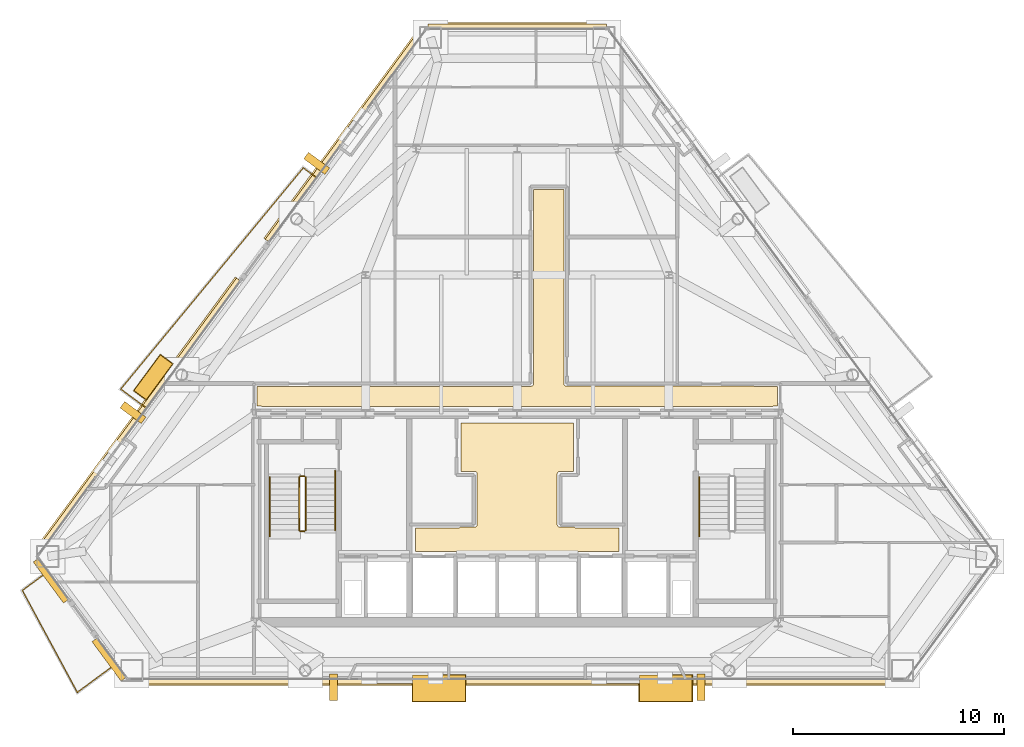
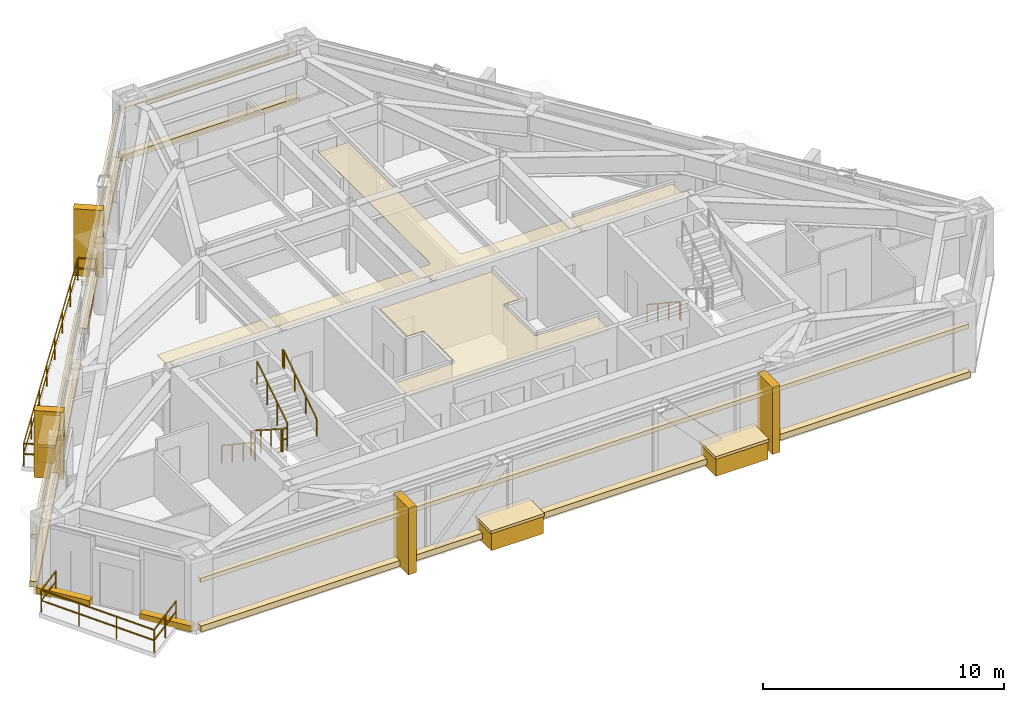
# One storey, part 11 of 12: 22 coverings, 9 railings.
"""IFC4 building model written with IfcOpenShell, lengths in metres."""

from ifc_helpers import new_model, si_unit, direction, frame, origin, origin_2d, place, context, subcontext, project, spatial, polyline, rectangle, outline, extrude, material, layer, layer_set, type_object, element, save


model = new_model("IFC4")

# Units and contexts
model_context = context("Model", 3, precision=1e-05, world=origin(), true_north=direction((0.0, 1.0)))
body_context = subcontext(model_context, "Body", "Model", "MODEL_VIEW")
ifc_project = project(units=[si_unit("LENGTHUNIT", "METRE"), si_unit("AREAUNIT", "SQUARE_METRE"), si_unit("VOLUMEUNIT", "CUBIC_METRE"), si_unit("PLANEANGLEUNIT", "RADIAN"), si_unit("MASSUNIT", "GRAM", prefix="KILO")], contexts=[model_context])

# Site, building, storey
site_placement = place(None, origin())
site = spatial("IfcSite", under=ifc_project, at=site_placement, CompositionType="ELEMENT")
building_placement = place(site_placement, origin())
building = spatial("IfcBuilding", under=site, at=building_placement, Name="Talgorran Terracotta Tower", CompositionType="ELEMENT")
storey_placement = place(building_placement, frame((0.0, 0.0, 182.10009765625)))
storey = spatial("IfcBuildingStorey", under=building, at=storey_placement, Name="L47", CompositionType="ELEMENT", Elevation=182.10009765625)

# Coverings
ifc_material_1 = material(Name="Kiln-Fired Terracotta Ochre Ceramic", Category="masonry")
ifc_layer_1 = layer(ifc_material_1, 0.179931640625, Name="COV_BAGUETTE_TERRACOTTA_SCREEN")
ifc_layer_set_1 = layer_set([ifc_layer_1], Name="Kiln-Fired Terracotta Ochre Ceramic")
covering_type_1 = type_object("IfcCoveringType", Name="COV_BAGUETTE_TERRACOTTA_SCREEN", PredefinedType="CLADDING", material=ifc_layer_set_1)
covering_1_placement = place(storey_placement, frame((0.0, -16.885498046875, 2.41015625), z_axis=(0.0, 0.0, 1.0), x_axis=(1.0, 0.0, 0.0)))
element("IfcCovering", 1, at=covering_1_placement, inside=storey, type_object=covering_type_1, Name="L47 Terracotta Baguette Solar Screen Assembly F1", PredefinedType="CLADDING", context=body_context, shape_type="SweptSolid", body=[
    extrude(rectangle(XDim=36.865478515625, YDim=0.260009765625, at=origin_2d()), origin(), (0.0, 0.0, 1.0), 0.219970703125),
])
covering_2_placement = place(storey_placement, frame((0.0, 14.18359375, 2.41015625), z_axis=(0.0, 0.0, 1.0), x_axis=(-1.0, 0.0, 0.0)))
element("IfcCovering", 2, at=covering_2_placement, inside=storey, type_object=covering_type_1, Name="L47 Terracotta Baguette Solar Screen Assembly F4", PredefinedType="CLADDING", context=body_context, shape_type="SweptSolid", body=[
    extrude(rectangle(XDim=8.4921875, YDim=0.260009765625, at=origin_2d()), origin(), (0.0, 0.0, 1.0), 0.219970703125),
])
covering_3_placement = place(storey_placement, frame((-8.16064453125, 9.038330078125, 2.41015625), z_axis=(0.0, 0.0, 1.0), x_axis=(-0.593489124579, -0.804842008724, 0.0)))
element("IfcCovering", 3, at=covering_3_placement, inside=storey, type_object=covering_type_1, Name="L47 Terracotta Baguette Solar Screen Assembly F60", PredefinedType="CLADDING", context=body_context, shape_type="SweptSolid", body=[
    extrude(rectangle(XDim=12.464599609375, YDim=0.260009765625, at=origin_2d()), origin(), (0.0, 0.0, 1.0), 0.219970703125),
])
covering_4_placement = place(storey_placement, frame((-18.015380859375, -4.32568359375, 2.41015625), z_axis=(0.0, 0.0, 1.0), x_axis=(-0.593489124579, -0.804842008724, 0.0)))
element("IfcCovering", 4, at=covering_4_placement, inside=storey, type_object=covering_type_1, Name="L47 Terracotta Baguette Solar Screen Assembly F61", PredefinedType="CLADDING", context=body_context, shape_type="SweptSolid", body=[
    extrude(rectangle(XDim=16.14453125, YDim=0.260009765625, at=origin_2d()), origin(), (0.0, 0.0, 1.0), 0.219970703125),
])
ifc_material_2 = material(Name="Mineral Fibre Acoustic Tile")
ifc_layer_2 = layer(ifc_material_2, 0.02490234375, Name="COV_CEIL_ACOUSTIC")
ifc_layer_set_2 = layer_set([ifc_layer_2], Name="Mineral Fibre Acoustic Tile")
covering_type_2 = type_object("IfcCoveringType", Name="COV_CEIL_ACOUSTIC", PredefinedType="CEILING", material=ifc_layer_set_2)
covering_5_placement = place(storey_placement, frame((0.0, 0.0, 3.260009765625)))
element("IfcCovering", 5, at=covering_5_placement, inside=storey, type_object=covering_type_2, Name="CEIL-L47-2", PredefinedType="CEILING", context=body_context, shape_type="SweptSolid", body=[
    extrude(outline(polyline([(-12.364990234375, -2.885009765625), (0.64990234375, -2.885009765625), (0.66162109375, -2.884521484375), (0.67333984375, -2.8828125), (0.6845703125, -2.8798828125), (0.69287109375, -2.87744140625), (0.7041015625, -2.87353515625), (0.714599609375, -2.868408203125), (0.724853515625, -2.8623046875), (0.734375, -2.85546875), (0.742919921875, -2.847412109375), (0.7509765625, -2.8388671875), (0.756591796875, -2.83203125), (0.763671875, -2.822509765625), (0.769775390625, -2.8125), (0.774658203125, -2.8017578125), (0.77880859375, -2.79052734375), (0.781494140625, -2.779296875), (0.783203125, -2.767578125), (0.783935546875, -2.755615234375), (0.784912109375, 6.465087890625), (2.215087890625, 6.465087890625), (2.215087890625, -2.75), (2.215576171875, -2.76171875), (2.21728515625, -2.773193359375), (2.22021484375, -2.78466796875), (2.22265625, -2.79296875), (2.2265625, -2.803955078125), (2.231689453125, -2.814697265625), (2.237548828125, -2.82470703125), (2.24462890625, -2.834228515625), (2.25244140625, -2.843017578125), (2.26123046875, -2.850830078125), (2.26806640625, -2.8564453125), (2.277587890625, -2.863525390625), (2.28759765625, -2.86962890625), (2.29833984375, -2.874755859375), (2.309326171875, -2.878662109375), (2.32080078125, -2.881591796875), (2.33251953125, -2.88330078125), (2.34423828125, -2.8837890625), (12.364990234375, -2.885009765625), (12.364990234375, -3.830078125), (12.169921875, -3.830078125), (12.158203125, -3.83056640625), (12.146484375, -3.832275390625), (12.13525390625, -3.835205078125), (12.1240234375, -3.839111328125), (12.11328125, -3.84423828125), (12.112060546875, -3.844970703125), (7.432861328125, -3.844970703125), (6.968017578125, -3.843017578125), (6.967529296875, -3.843017578125), (0.232666015625, -3.844970703125), (-0.23193359375, -3.843017578125), (-0.232421875, -3.843017578125), (-6.96728515625, -3.844970703125), (-7.431884765625, -3.843017578125), (-7.4326171875, -3.843017578125), (-12.112060546875, -3.844970703125), (-12.11328125, -3.84423828125), (-12.1240234375, -3.839111328125), (-12.13525390625, -3.835205078125), (-12.146484375, -3.832275390625), (-12.158203125, -3.83056640625), (-12.169921875, -3.830078125), (-12.364990234375, -3.830078125), (-12.364990234375, -2.885009765625)])), origin(), (0.0, 0.0, 1.0), 0.019775390625),
])
ifc_material_3 = material(Name="Flush Moisture-Resistant Plaster")
ifc_layer_3 = layer(ifc_material_3, 0.01806640625, Name="COV_CEIL_PLASTER")
ifc_layer_set_3 = layer_set([ifc_layer_3], Name="Flush Moisture-Resistant Plaster")
covering_type_3 = type_object("IfcCoveringType", Name="COV_CEIL_PLASTER", PredefinedType="CEILING", material=ifc_layer_set_3)
covering_6_placement = place(storey_placement, frame((0.0, 0.0, 3.260009765625)))
element("IfcCovering", 6, at=covering_6_placement, inside=storey, type_object=covering_type_3, Name="CEIL-L47-1", PredefinedType="CEILING", context=body_context, shape_type="SweptSolid", body=[
    extrude(outline(polyline([(-2.70263671875, -9.570068359375), (-2.02001953125, -9.570068359375), (-2.00830078125, -9.5693359375), (-1.99658203125, -9.567626953125), (-1.985107421875, -9.564697265625), (-1.97412109375, -9.560791015625), (-1.96337890625, -9.555908203125), (-1.953369140625, -9.5498046875), (-1.94384765625, -9.542724609375), (-1.93505859375, -9.534912109375), (-1.92724609375, -9.526123046875), (-1.920166015625, -9.5166015625), (-1.914306640625, -9.506591796875), (-1.9091796875, -9.495849609375), (-1.9052734375, -9.48486328125), (-1.90234375, -9.473388671875), (-1.900634765625, -9.4619140625), (-1.89990234375, -9.449951171875), (-1.89990234375, -7.050048828125), (-1.900634765625, -7.0380859375), (-1.90234375, -7.026611328125), (-1.9052734375, -7.01513671875), (-1.9091796875, -7.004150390625), (-1.914306640625, -6.993408203125), (-1.920166015625, -6.9833984375), (-1.92724609375, -6.973876953125), (-1.93505859375, -6.965087890625), (-1.94384765625, -6.957275390625), (-1.953369140625, -6.9501953125), (-1.96337890625, -6.944091796875), (-1.97412109375, -6.939208984375), (-1.985107421875, -6.935302734375), (-1.99658203125, -6.932373046875), (-2.00830078125, -6.9306640625), (-2.02001953125, -6.929931640625), (-2.679931640625, -6.929931640625), (-2.679931640625, -4.6201171875), (2.679931640625, -4.6201171875), (2.679931640625, -6.929931640625), (2.02001953125, -6.929931640625), (2.00830078125, -6.9306640625), (1.99658203125, -6.932373046875), (1.985107421875, -6.935302734375), (1.97412109375, -6.939208984375), (1.96337890625, -6.944091796875), (1.953369140625, -6.9501953125), (1.94384765625, -6.957275390625), (1.93505859375, -6.965087890625), (1.92724609375, -6.973876953125), (1.920166015625, -6.9833984375), (1.914306640625, -6.993408203125), (1.9091796875, -7.004150390625), (1.9052734375, -7.01513671875), (1.90234375, -7.026611328125), (1.900634765625, -7.0380859375), (1.89990234375, -7.050048828125), (1.89990234375, -9.449951171875), (1.900634765625, -9.4619140625), (1.90234375, -9.473388671875), (1.9052734375, -9.48486328125), (1.9091796875, -9.495849609375), (1.914306640625, -9.506591796875), (1.920166015625, -9.5166015625), (1.92724609375, -9.526123046875), (1.93505859375, -9.534912109375), (1.94384765625, -9.542724609375), (1.953369140625, -9.5498046875), (1.96337890625, -9.555908203125), (1.97412109375, -9.560791015625), (1.985107421875, -9.564697265625), (1.99658203125, -9.567626953125), (2.00830078125, -9.5693359375), (2.02001953125, -9.570068359375), (2.70263671875, -9.570068359375), (2.707275390625, -9.576171875), (2.715087890625, -9.5849609375), (2.723876953125, -9.5927734375), (2.7333984375, -9.599853515625), (2.743408203125, -9.605712890625), (2.754150390625, -9.61083984375), (2.76513671875, -9.61474609375), (2.776611328125, -9.61767578125), (2.7880859375, -9.619384765625), (2.800048828125, -9.6201171875), (4.830078125, -9.6201171875), (4.830078125, -10.72998046875), (-4.830078125, -10.72998046875), (-4.830078125, -9.6201171875), (-2.800048828125, -9.6201171875), (-2.7880859375, -9.619384765625), (-2.776611328125, -9.61767578125), (-2.76513671875, -9.61474609375), (-2.754150390625, -9.61083984375), (-2.743408203125, -9.605712890625), (-2.7333984375, -9.599853515625), (-2.723876953125, -9.5927734375), (-2.715087890625, -9.5849609375), (-2.707275390625, -9.576171875), (-2.70263671875, -9.570068359375)])), origin(), (0.0, 0.0, 1.0), 0.019775390625),
])
ifc_material_4 = material(Name="Honed Limestone and Terracotta Planter", Category="masonry")
ifc_layer_4 = layer(ifc_material_4, 0.1201171875, Name="COV_PLANTER_BOX")
ifc_layer_set_4 = layer_set([ifc_layer_4], Name="Honed Limestone and Terracotta Planter")
covering_type_4 = type_object("IfcCoveringType", Name="COV_PLANTER_BOX", PredefinedType="CLADDING", material=ifc_layer_set_4)
for number, where, z_axis, x_axis, name in (
    (7, (7.05419921875, -17.2255859375, -0.18017578125), (0.0, 0.0, 1.0), (1.0, 0.0, 0.0), "L47 Staggered South Facade Planter Box 1"),
    (8, (-3.712646484375, -17.2255859375, -0.18017578125), (0.0, 0.0, 1.0), (1.0, 0.0, 0.0), "L47 Staggered South Facade Planter Box 2"),
):
    element("IfcCovering", number, at=place(storey_placement, frame(where, z_axis=z_axis, x_axis=x_axis)), inside=storey, type_object=covering_type_4, Name=name, PredefinedType="CLADDING", context=body_context, shape_type="SweptSolid", body=[
        extrude(rectangle(XDim=2.5, YDim=1.25, at=origin_2d()), origin(), (0.0, 0.0, 1.0), 0.919921875),
    ])
covering_7_placement = place(storey_placement, frame((-17.283447265625, -2.45849609375, -0.02001953125), z_axis=(0.0, 0.0, 1.0), x_axis=(-0.593489124579, -0.804842008724, 0.0)))
element("IfcCovering", 9, at=covering_7_placement, inside=storey, type_object=covering_type_4, Name="L47 Staggered Balcony Planter Box BAL-NW", PredefinedType="CLADDING", context=body_context, shape_type="SweptSolid", body=[
    extrude(rectangle(XDim=2.10009765625, YDim=0.719970703125, at=origin_2d()), origin(), (0.0, 0.0, 1.0), 0.860107421875),
])
ifc_material_5 = material(Name="Kiln-Fired Terracotta Planter Rim", Category="masonry")
ifc_layer_5 = layer(ifc_material_5, 0.10009765625, Name="COV_PLANTER_RIM")
ifc_layer_set_5 = layer_set([ifc_layer_5], Name="Kiln-Fired Terracotta Planter Rim")
covering_type_5 = type_object("IfcCoveringType", Name="COV_PLANTER_RIM", PredefinedType="CLADDING", material=ifc_layer_set_5)
for number, where, z_axis, x_axis, name in (
    (10, (7.05419921875, -17.2255859375, 0.7099609375), (0.0, 0.0, 1.0), (1.0, 0.0, 0.0), "L47 South Planter Terracotta Rim 1"),
    (11, (-3.712646484375, -17.2255859375, 0.7099609375), (0.0, 0.0, 1.0), (1.0, 0.0, 0.0), "L47 South Planter Terracotta Rim 2"),
):
    element("IfcCovering", number, at=place(storey_placement, frame(where, z_axis=z_axis, x_axis=x_axis)), inside=storey, type_object=covering_type_5, Name=name, PredefinedType="CLADDING", context=body_context, shape_type="SweptSolid", body=[
        extrude(rectangle(XDim=2.580078125, YDim=1.320068359375, at=origin_2d()), origin(), (0.0, 0.0, 1.0), 0.139892578125),
    ])
covering_8_placement = place(storey_placement, frame((-17.283447265625, -2.45849609375, 0.7998046875), z_axis=(0.0, 0.0, 1.0), x_axis=(-0.593489124579, -0.804842008724, 0.0)))
element("IfcCovering", 12, at=covering_8_placement, inside=storey, type_object=covering_type_5, Name="L47 Balcony Planter Terracotta Rim BAL-NW", PredefinedType="CLADDING", context=body_context, shape_type="SweptSolid", body=[
    extrude(rectangle(XDim=2.179931640625, YDim=0.780029296875, at=origin_2d()), origin(), (0.0, 0.0, 1.0), 0.1201171875),
])
ifc_material_6 = material(Name="Honed Limestone Cladding", Category="masonry")
ifc_layer_6 = layer(ifc_material_6, 0.094970703125, Name="COV_PORTAL_LIME")
ifc_layer_set_6 = layer_set([ifc_layer_6], Name="Honed Limestone Cladding")
covering_type_6 = type_object("IfcCoveringType", Name="COV_PORTAL_LIME", PredefinedType="CLADDING", material=ifc_layer_set_6)
for number, where, z_axis, x_axis, name in (
    (13, (-8.724853515625, -17.185546875, -0.050048828125), (0.0, 0.0, 1.0), (1.0, 0.0, 0.0), "L47 White Striped Portal Fin F1-1"),
    (14, (-9.521240234375, 7.69873046875, -0.050048828125), (0.0, 0.0, 1.0), (-0.593489124579, -0.804842008724, 0.0), "L47 White Striped Portal Fin F5-1"),
):
    element("IfcCovering", number, at=place(storey_placement, frame(where, z_axis=z_axis, x_axis=x_axis)), inside=storey, type_object=covering_type_6, Name=name, PredefinedType="CLADDING", context=body_context, shape_type="SweptSolid", body=[
        extrude(rectangle(XDim=0.3798828125, YDim=1.25, at=origin_2d()), origin(), (0.0, 0.0, 1.0), 3.39990234375),
    ])
ifc_material_7 = material(Name="Kiln-Fired Terracotta Cladding", Category="masonry")
ifc_layer_7 = layer(ifc_material_7, 0.090087890625, Name="COV_PORTAL_TERRA")
ifc_layer_set_7 = layer_set([ifc_layer_7], Name="Kiln-Fired Terracotta Cladding")
covering_type_7 = type_object("IfcCoveringType", Name="COV_PORTAL_TERRA", PredefinedType="CLADDING", material=ifc_layer_set_7)
covering_9_placement = place(storey_placement, frame((-22.126708984375, -12.10693359375, -0.0400390625), z_axis=(0.0, 0.0, 1.0), x_axis=(0.593503171631, -0.804831650262, 0.0)))
element("IfcCovering", 15, at=covering_9_placement, inside=storey, type_object=covering_type_7, Name="L47 Striped Postmodern Portal Cladding Band F10", PredefinedType="CLADDING", context=body_context, shape_type="SweptSolid", body=[
    extrude(rectangle(XDim=2.418212890625, YDim=0.340087890625, at=origin_2d()), origin(), (0.0, 0.0, 1.0), 0.300048828125),
])
covering_10_placement = place(storey_placement, frame((-19.365234375, -15.8515625, -0.0400390625), z_axis=(0.0, 0.0, 1.0), x_axis=(0.593503171631, -0.804831650262, 0.0)))
element("IfcCovering", 16, at=covering_10_placement, inside=storey, type_object=covering_type_7, Name="L47 Striped Postmodern Portal Cladding Band F11", PredefinedType="CLADDING", context=body_context, shape_type="SweptSolid", body=[
    extrude(rectangle(XDim=2.327392578125, YDim=0.340087890625, at=origin_2d()), origin(), (0.0, 0.0, 1.0), 0.300048828125),
])
covering_11_placement = place(storey_placement, frame((0.0, -16.925537109375, -0.0400390625), z_axis=(0.0, 0.0, 1.0), x_axis=(1.0, 0.0, 0.0)))
element("IfcCovering", 17, at=covering_11_placement, inside=storey, type_object=covering_type_7, Name="L47 Striped Postmodern Portal Cladding Band F1", PredefinedType="CLADDING", context=body_context, shape_type="SweptSolid", body=[
    extrude(rectangle(XDim=36.885498046875, YDim=0.340087890625, at=origin_2d()), origin(), (0.0, 0.0, 1.0), 0.300048828125),
])
covering_12_placement = place(storey_placement, frame((0.0, 14.2236328125, -0.0400390625), z_axis=(0.0, 0.0, 1.0), x_axis=(-1.0, 0.0, 0.0)))
element("IfcCovering", 18, at=covering_12_placement, inside=storey, type_object=covering_type_7, Name="L47 Striped Postmodern Portal Cladding Band F4", PredefinedType="CLADDING", context=body_context, shape_type="SweptSolid", body=[
    extrude(rectangle(XDim=8.51220703125, YDim=0.340087890625, at=origin_2d()), origin(), (0.0, 0.0, 1.0), 0.300048828125),
])
covering_13_placement = place(storey_placement, frame((-8.19287109375, 9.06201171875, -0.0400390625), z_axis=(0.0, 0.0, 1.0), x_axis=(-0.593489124579, -0.804842008724, 0.0)))
element("IfcCovering", 19, at=covering_13_placement, inside=storey, type_object=covering_type_7, Name="L47 Striped Postmodern Portal Cladding Band F60", PredefinedType="CLADDING", context=body_context, shape_type="SweptSolid", body=[
    extrude(rectangle(XDim=12.484619140625, YDim=0.340087890625, at=origin_2d()), origin(), (0.0, 0.0, 1.0), 0.300048828125),
])
covering_14_placement = place(storey_placement, frame((-18.047607421875, -4.3017578125, -0.0400390625), z_axis=(0.0, 0.0, 1.0), x_axis=(-0.593489124579, -0.804842008724, 0.0)))
element("IfcCovering", 20, at=covering_14_placement, inside=storey, type_object=covering_type_7, Name="L47 Striped Postmodern Portal Cladding Band F61", PredefinedType="CLADDING", context=body_context, shape_type="SweptSolid", body=[
    extrude(rectangle(XDim=16.16455078125, YDim=0.340087890625, at=origin_2d()), origin(), (0.0, 0.0, 1.0), 0.300048828125),
])
for number, where, z_axis, x_axis, name in (
    (21, (8.724853515625, -17.185546875, -0.050048828125), (0.0, 0.0, 1.0), (1.0, 0.0, 0.0), "L47 Terracotta Striped Portal Fin F1-2"),
    (22, (-18.24609375, -4.133056640625, -0.050048828125), (0.0, 0.0, 1.0), (-0.593489124579, -0.804842008724, 0.0), "L47 Terracotta Striped Portal Fin F5-2"),
):
    element("IfcCovering", number, at=place(storey_placement, frame(where, z_axis=z_axis, x_axis=x_axis)), inside=storey, type_object=covering_type_7, Name=name, PredefinedType="CLADDING", context=body_context, shape_type="SweptSolid", body=[
        extrude(rectangle(XDim=0.3798828125, YDim=1.25, at=origin_2d()), origin(), (0.0, 0.0, 1.0), 3.39990234375),
    ])

# Railings
ifc_material_8 = material(Name="Laminated Glass and Stainless Steel 316", Category="steel")
railing_type_1 = type_object("IfcRailingType", Name="RL_BALCONY_1150", PredefinedType="BALUSTRADE", material=ifc_material_8)
railing_1_placement = place(storey_placement, frame((-9.54150390625, 7.03125, 0.0)))
element("IfcRailing", 23, at=railing_1_placement, inside=storey, type_object=railing_type_1, Name="RL-L47-BAL-BAL-NW", PredefinedType="BALUSTRADE", context=body_context, shape_type="SweptSolid", body=[
    extrude(rectangle(XDim=0.048095703125, YDim=0.048095703125, at=origin_2d()), frame((0.0, 0.0, 1.1259765625), z_axis=(-0.804928073869, 0.59337239226, 0.0), x_axis=(-0.59337239226, -0.804928073869, 0.0)), (0.0, 0.0, 1.0), 0.7685546875),
    extrude(rectangle(XDim=0.048095703125, YDim=0.048095703125, at=origin_2d()), frame((0.0, 0.0, 0.597900390625), z_axis=(-0.804928073869, 0.59337239226, 0.0), x_axis=(-0.59337239226, -0.804928073869, 0.0)), (0.0, 0.0, 1.0), 0.7685546875),
    extrude(rectangle(XDim=0.048095703125, YDim=0.048095703125, at=origin_2d()), frame((-0.61865234375, 0.4560546875, 1.1259765625), z_axis=(-0.636374157048, -0.771380536597, 0.0), x_axis=(0.771380536597, -0.636374157048, 0.0)), (0.0, 0.0, 1.0), 13.622314453125),
    extrude(rectangle(XDim=0.048095703125, YDim=0.048095703125, at=origin_2d()), frame((-0.61865234375, 0.4560546875, 0.597900390625), z_axis=(-0.636374157048, -0.771380536597, 0.0), x_axis=(0.771380536597, -0.636374157048, 0.0)), (0.0, 0.0, 1.0), 13.622314453125),
    extrude(rectangle(XDim=0.048095703125, YDim=0.048095703125, at=origin_2d()), frame((-9.28759765625, -10.052001953125, 1.1259765625), z_axis=(0.804864716475, -0.593458328928, 0.0), x_axis=(0.593458328928, 0.804864716475, 0.0)), (0.0, 0.0, 1.0), 1.50927734375),
    extrude(rectangle(XDim=0.048095703125, YDim=0.048095703125, at=origin_2d()), frame((-9.28759765625, -10.052001953125, 0.597900390625), z_axis=(0.804864716475, -0.593458328928, 0.0), x_axis=(0.593458328928, 0.804864716475, 0.0)), (0.0, 0.0, 1.0), 1.50927734375),
    extrude(rectangle(XDim=0.0419921875, YDim=0.0419921875, at=origin_2d()), origin(), (0.0, 0.0, 1.0), 1.101806640625),
    extrude(rectangle(XDim=0.0419921875, YDim=0.0419921875, at=origin_2d()), frame((-0.61865234375, 0.4560546875, 0.0)), (0.0, 0.0, 1.0), 1.101806640625),
    extrude(rectangle(XDim=0.0419921875, YDim=0.0419921875, at=origin_2d()), frame((-1.857177734375, -1.045166015625, 0.0)), (0.0, 0.0, 1.0), 1.101806640625),
    extrude(rectangle(XDim=0.0419921875, YDim=0.0419921875, at=origin_2d()), frame((-3.095458984375, -2.546142578125, 0.0)), (0.0, 0.0, 1.0), 1.101806640625),
    extrude(rectangle(XDim=0.0419921875, YDim=0.0419921875, at=origin_2d()), frame((-4.333984375, -4.04736328125, 0.0)), (0.0, 0.0, 1.0), 1.101806640625),
    extrude(rectangle(XDim=0.0419921875, YDim=0.0419921875, at=origin_2d()), frame((-5.572265625, -5.548583984375, 0.0)), (0.0, 0.0, 1.0), 1.101806640625),
    extrude(rectangle(XDim=0.0419921875, YDim=0.0419921875, at=origin_2d()), frame((-6.810791015625, -7.0498046875, 0.0)), (0.0, 0.0, 1.0), 1.101806640625),
    extrude(rectangle(XDim=0.0419921875, YDim=0.0419921875, at=origin_2d()), frame((-8.049072265625, -8.55078125, 0.0)), (0.0, 0.0, 1.0), 1.101806640625),
    extrude(rectangle(XDim=0.0419921875, YDim=0.0419921875, at=origin_2d()), frame((-9.28759765625, -10.052001953125, 0.0)), (0.0, 0.0, 1.0), 1.101806640625),
    extrude(rectangle(XDim=0.0419921875, YDim=0.0419921875, at=origin_2d()), frame((-8.07275390625, -10.94775390625, 0.0)), (0.0, 0.0, 1.0), 1.101806640625),
])
railing_2_placement = place(storey_placement, frame((-22.286865234375, -11.6875, 0.0)))
element("IfcRailing", 24, at=railing_2_placement, inside=storey, type_object=railing_type_1, Name="RL-L47-BAL-BAL-SW", PredefinedType="BALUSTRADE", context=body_context, shape_type="SweptSolid", body=[
    extrude(rectangle(XDim=0.048095703125, YDim=0.048095703125, at=origin_2d()), frame((0.0, 0.0, 1.1259765625), z_axis=(-0.804852231098, -0.593475261571, 0.0), x_axis=(0.593475261571, -0.804852231098, 0.0)), (0.0, 0.0, 1.0), 1.50732421875),
    extrude(rectangle(XDim=0.048095703125, YDim=0.048095703125, at=origin_2d()), frame((0.0, 0.0, 0.597900390625), z_axis=(-0.804852231098, -0.593475261571, 0.0), x_axis=(0.593475261571, -0.804852231098, 0.0)), (0.0, 0.0, 1.0), 1.50732421875),
    extrude(rectangle(XDim=0.048095703125, YDim=0.048095703125, at=origin_2d()), frame((-1.213134765625, -0.89453125, 1.1259765625), z_axis=(0.474631871031, -0.880184405112, 0.0), x_axis=(0.880184405112, 0.474631871031, 0.0)), (0.0, 0.0, 1.0), 5.499267578125),
    extrude(rectangle(XDim=0.048095703125, YDim=0.048095703125, at=origin_2d()), frame((-1.213134765625, -0.89453125, 0.597900390625), z_axis=(0.474631871031, -0.880184405112, 0.0), x_axis=(0.880184405112, 0.474631871031, 0.0)), (0.0, 0.0, 1.0), 5.499267578125),
    extrude(rectangle(XDim=0.048095703125, YDim=0.048095703125, at=origin_2d()), frame((1.39697265625, -5.73486328125, 1.1259765625), z_axis=(0.804832327769, 0.593502252884, 0.0), x_axis=(-0.593502252884, 0.804832327769, 0.0)), (0.0, 0.0, 1.0), 2.279296875),
    extrude(rectangle(XDim=0.048095703125, YDim=0.048095703125, at=origin_2d()), frame((1.39697265625, -5.73486328125, 0.597900390625), z_axis=(0.804832327769, 0.593502252884, 0.0), x_axis=(-0.593502252884, 0.804832327769, 0.0)), (0.0, 0.0, 1.0), 2.279296875),
    extrude(rectangle(XDim=0.0419921875, YDim=0.0419921875, at=origin_2d()), origin(), (0.0, 0.0, 1.0), 1.101806640625),
    extrude(rectangle(XDim=0.0419921875, YDim=0.0419921875, at=origin_2d()), frame((-1.213134765625, -0.89453125, 0.0)), (0.0, 0.0, 1.0), 1.101806640625),
    extrude(rectangle(XDim=0.0419921875, YDim=0.0419921875, at=origin_2d()), frame((-0.343017578125, -2.508056640625, 0.0)), (0.0, 0.0, 1.0), 1.101806640625),
    extrude(rectangle(XDim=0.0419921875, YDim=0.0419921875, at=origin_2d()), frame((0.52685546875, -4.121337890625, 0.0)), (0.0, 0.0, 1.0), 1.101806640625),
    extrude(rectangle(XDim=0.0419921875, YDim=0.0419921875, at=origin_2d()), frame((1.39697265625, -5.73486328125, 0.0)), (0.0, 0.0, 1.0), 1.101806640625),
    extrude(rectangle(XDim=0.0419921875, YDim=0.0419921875, at=origin_2d()), frame((2.314208984375, -5.05859375, 0.0)), (0.0, 0.0, 1.0), 1.101806640625),
    extrude(rectangle(XDim=0.0419921875, YDim=0.0419921875, at=origin_2d()), frame((3.2314453125, -4.382080078125, 0.0)), (0.0, 0.0, 1.0), 1.101806640625),
])
ifc_material_9 = material(Name="Steel S355 (300PLUS)", Category="steel")
railing_type_2 = type_object("IfcRailingType", Name="RL_HANDRAIL_920", PredefinedType="HANDRAIL", material=ifc_material_9)
railing_3_placement = place(storey_placement, frame((-11.75, -7.199951171875, 0.179931640625)))
element("IfcRailing", 25, at=railing_3_placement, inside=storey, type_object=railing_type_2, Name="L47 ST-01 stair handrail 1", PredefinedType="HANDRAIL", context=body_context, shape_type="SweptSolid", body=[
    extrude(rectangle(XDim=0.048095703125, YDim=0.048095703125, at=origin_2d()), frame((0.0, 0.0, 0.89599609375), z_axis=(0.0, -0.832038719335, 0.554717558338), x_axis=(1.0, 0.0, 0.0)), (0.0, 0.0, 1.0), 3.244873046875),
    extrude(rectangle(XDim=0.048095703125, YDim=0.048095703125, at=origin_2d()), frame((0.0, -2.699951171875, 2.69580078125), z_axis=(0.0, -1.0, 0.0), x_axis=(1.0, 0.0, 0.0)), (0.0, 0.0, 1.0), 0.1201171875),
    extrude(rectangle(XDim=0.0419921875, YDim=0.0419921875, at=origin_2d()), origin(), (0.0, 0.0, 1.0), 0.871826171875),
    extrude(rectangle(XDim=0.0419921875, YDim=0.0419921875, at=origin_2d()), frame((0.0, -0.89990234375, 0.60009765625)), (0.0, 0.0, 1.0), 0.871826171875),
    extrude(rectangle(XDim=0.0419921875, YDim=0.0419921875, at=origin_2d()), frame((0.0, -1.800048828125, 1.199951171875)), (0.0, 0.0, 1.0), 0.871826171875),
    extrude(rectangle(XDim=0.0419921875, YDim=0.0419921875, at=origin_2d()), frame((0.0, -2.699951171875, 1.800048828125)), (0.0, 0.0, 1.0), 0.871826171875),
    extrude(rectangle(XDim=0.0419921875, YDim=0.0419921875, at=origin_2d()), frame((0.0, -2.820068359375, 1.800048828125)), (0.0, 0.0, 1.0), 0.871826171875),
])
railing_4_placement = place(storey_placement, frame((-8.64990234375, -9.719970703125, 1.97998046875)))
element("IfcRailing", 26, at=railing_4_placement, inside=storey, type_object=railing_type_2, Name="L47 ST-01 stair handrail 2", PredefinedType="HANDRAIL", context=body_context, shape_type="SweptSolid", body=[
    extrude(rectangle(XDim=0.048095703125, YDim=0.048095703125, at=origin_2d()), frame((0.0, 0.0, 0.89599609375), z_axis=(0.0, 0.832073444223, 0.554665469827), x_axis=(-1.0, 0.0, 0.0)), (0.0, 0.0, 1.0), 3.244873046875),
    extrude(rectangle(XDim=0.048095703125, YDim=0.048095703125, at=origin_2d()), frame((0.0, 2.699951171875, 2.69580078125), z_axis=(0.0, 1.0, 0.0), x_axis=(-1.0, 0.0, 0.0)), (0.0, 0.0, 1.0), 0.1201171875),
    extrude(rectangle(XDim=0.0419921875, YDim=0.0419921875, at=origin_2d()), origin(), (0.0, 0.0, 1.0), 0.871826171875),
    extrude(rectangle(XDim=0.0419921875, YDim=0.0419921875, at=origin_2d()), frame((0.0, 0.89990234375, 0.599853515625)), (0.0, 0.0, 1.0), 0.871826171875),
    extrude(rectangle(XDim=0.0419921875, YDim=0.0419921875, at=origin_2d()), frame((0.0, 1.800048828125, 1.199951171875)), (0.0, 0.0, 1.0), 0.871826171875),
    extrude(rectangle(XDim=0.0419921875, YDim=0.0419921875, at=origin_2d()), frame((0.0, 2.699951171875, 1.7998046875)), (0.0, 0.0, 1.0), 0.871826171875),
    extrude(rectangle(XDim=0.0419921875, YDim=0.0419921875, at=origin_2d()), frame((0.0, 2.820068359375, 1.7998046875)), (0.0, 0.0, 1.0), 0.871826171875),
])
railing_5_placement = place(storey_placement, frame((8.64990234375, -7.199951171875, 0.179931640625)))
element("IfcRailing", 27, at=railing_5_placement, inside=storey, type_object=railing_type_2, Name="L47 ST-02 stair handrail 1", PredefinedType="HANDRAIL", context=body_context, shape_type="SweptSolid", body=[
    extrude(rectangle(XDim=0.048095703125, YDim=0.048095703125, at=origin_2d()), frame((0.0, 0.0, 0.89599609375), z_axis=(0.0, -0.832038719335, 0.554717558338), x_axis=(1.0, 0.0, 0.0)), (0.0, 0.0, 1.0), 3.244873046875),
    extrude(rectangle(XDim=0.048095703125, YDim=0.048095703125, at=origin_2d()), frame((0.0, -2.699951171875, 2.69580078125), z_axis=(0.0, -1.0, 0.0), x_axis=(1.0, 0.0, 0.0)), (0.0, 0.0, 1.0), 0.1201171875),
    extrude(rectangle(XDim=0.0419921875, YDim=0.0419921875, at=origin_2d()), origin(), (0.0, 0.0, 1.0), 0.871826171875),
    extrude(rectangle(XDim=0.0419921875, YDim=0.0419921875, at=origin_2d()), frame((0.0, -0.89990234375, 0.60009765625)), (0.0, 0.0, 1.0), 0.871826171875),
    extrude(rectangle(XDim=0.0419921875, YDim=0.0419921875, at=origin_2d()), frame((0.0, -1.800048828125, 1.199951171875)), (0.0, 0.0, 1.0), 0.871826171875),
    extrude(rectangle(XDim=0.0419921875, YDim=0.0419921875, at=origin_2d()), frame((0.0, -2.699951171875, 1.800048828125)), (0.0, 0.0, 1.0), 0.871826171875),
    extrude(rectangle(XDim=0.0419921875, YDim=0.0419921875, at=origin_2d()), frame((0.0, -2.820068359375, 1.800048828125)), (0.0, 0.0, 1.0), 0.871826171875),
])
railing_type_3 = type_object("IfcRailingType", Name="RL_STAIR_GUARD", PredefinedType="GUARDRAIL", material=ifc_material_9)
railing_6_placement = place(storey_placement, frame((-10.35009765625, -7.199951171875, 0.179931640625)))
element("IfcRailing", 28, at=railing_6_placement, inside=storey, type_object=railing_type_3, Name="L47 ST-01 stair guard 1", PredefinedType="GUARDRAIL", context=body_context, shape_type="SweptSolid", body=[
    extrude(rectangle(XDim=0.048095703125, YDim=0.048095703125, at=origin_2d()), frame((0.0, 0.0, 1.15576171875), z_axis=(0.0, -0.841199657755, 0.540724639528), x_axis=(1.0, 0.0, 0.0)), (0.0, 0.0, 1.0), 2.995849609375),
    extrude(rectangle(XDim=0.0419921875, YDim=0.0419921875, at=origin_2d()), origin(), (0.0, 0.0, 1.0), 1.1318359375),
    extrude(rectangle(XDim=0.0419921875, YDim=0.0419921875, at=origin_2d()), frame((0.0, -0.840087890625, 0.5400390625)), (0.0, 0.0, 1.0), 1.1318359375),
    extrude(rectangle(XDim=0.0419921875, YDim=0.0419921875, at=origin_2d()), frame((0.0, -1.679931640625, 1.079833984375)), (0.0, 0.0, 1.0), 1.1318359375),
    extrude(rectangle(XDim=0.0419921875, YDim=0.0419921875, at=origin_2d()), frame((0.0, -2.52001953125, 1.619873046875)), (0.0, 0.0, 1.0), 1.1318359375),
])
railing_7_placement = place(storey_placement, frame((-10.300048828125, -9.77001953125, 1.7998046875)))
element("IfcRailing", 29, at=railing_7_placement, inside=storey, type_object=railing_type_3, Name="L47 ST-01 stair guard 2", PredefinedType="GUARDRAIL", context=body_context, shape_type="SweptSolid", body=[
    extrude(rectangle(XDim=0.048095703125, YDim=0.048095703125, at=origin_2d()), frame((0.0, 0.0, 1.15576171875), z_axis=(1.0, 0.0, 0.0), x_axis=(0.0, 1.0, 0.0)), (0.0, 0.0, 1.0), 0.199951171875),
    extrude(rectangle(XDim=0.048095703125, YDim=0.048095703125, at=origin_2d()), frame((0.0, 0.0, 0.613525390625), z_axis=(1.0, 0.0, 0.0), x_axis=(0.0, 1.0, 0.0)), (0.0, 0.0, 1.0), 0.199951171875),
    extrude(rectangle(XDim=0.0419921875, YDim=0.0419921875, at=origin_2d()), origin(), (0.0, 0.0, 1.0), 1.1318359375),
    extrude(rectangle(XDim=0.0419921875, YDim=0.0419921875, at=origin_2d()), frame((0.199951171875, 0.0, 0.0)), (0.0, 0.0, 1.0), 1.1318359375),
])
railing_8_placement = place(storey_placement, frame((-10.050048828125, -9.719970703125, 1.97998046875)))
element("IfcRailing", 30, at=railing_8_placement, inside=storey, type_object=railing_type_3, Name="L47 ST-01 stair guard 3", PredefinedType="GUARDRAIL", context=body_context, shape_type="SweptSolid", body=[
    extrude(rectangle(XDim=0.048095703125, YDim=0.048095703125, at=origin_2d()), frame((0.0, 0.0, 1.15576171875), z_axis=(0.0, 0.841199657755, 0.540724639528), x_axis=(-1.0, 0.0, 0.0)), (0.0, 0.0, 1.0), 2.995849609375),
    extrude(rectangle(XDim=0.0419921875, YDim=0.0419921875, at=origin_2d()), origin(), (0.0, 0.0, 1.0), 1.1318359375),
    extrude(rectangle(XDim=0.0419921875, YDim=0.0419921875, at=origin_2d()), frame((0.0, 0.840087890625, 0.5400390625)), (0.0, 0.0, 1.0), 1.1318359375),
    extrude(rectangle(XDim=0.0419921875, YDim=0.0419921875, at=origin_2d()), frame((0.0, 1.679931640625, 1.079833984375)), (0.0, 0.0, 1.0), 1.1318359375),
    extrude(rectangle(XDim=0.0419921875, YDim=0.0419921875, at=origin_2d()), frame((0.0, 2.52001953125, 1.619873046875)), (0.0, 0.0, 1.0), 1.1318359375),
])
railing_9_placement = place(storey_placement, frame((-10.300048828125, -7.14990234375, 0.0)))
element("IfcRailing", 31, at=railing_9_placement, inside=storey, type_object=railing_type_3, Name="L47 ST-01 stair guard 4", PredefinedType="GUARDRAIL", context=body_context, shape_type="SweptSolid", body=[
    extrude(rectangle(XDim=0.048095703125, YDim=0.048095703125, at=origin_2d()), frame((0.0, 0.0, 1.15576171875), z_axis=(1.0, 0.0, 0.0), x_axis=(0.0, 1.0, 0.0)), (0.0, 0.0, 1.0), 0.199951171875),
    extrude(rectangle(XDim=0.048095703125, YDim=0.048095703125, at=origin_2d()), frame((0.0, 0.0, 0.613525390625), z_axis=(1.0, 0.0, 0.0), x_axis=(0.0, 1.0, 0.0)), (0.0, 0.0, 1.0), 0.199951171875),
    extrude(rectangle(XDim=0.0419921875, YDim=0.0419921875, at=origin_2d()), origin(), (0.0, 0.0, 1.0), 1.1318359375),
    extrude(rectangle(XDim=0.0419921875, YDim=0.0419921875, at=origin_2d()), frame((0.199951171875, 0.0, 0.0)), (0.0, 0.0, 1.0), 1.1318359375),
])

save(model, "model.ifc")
